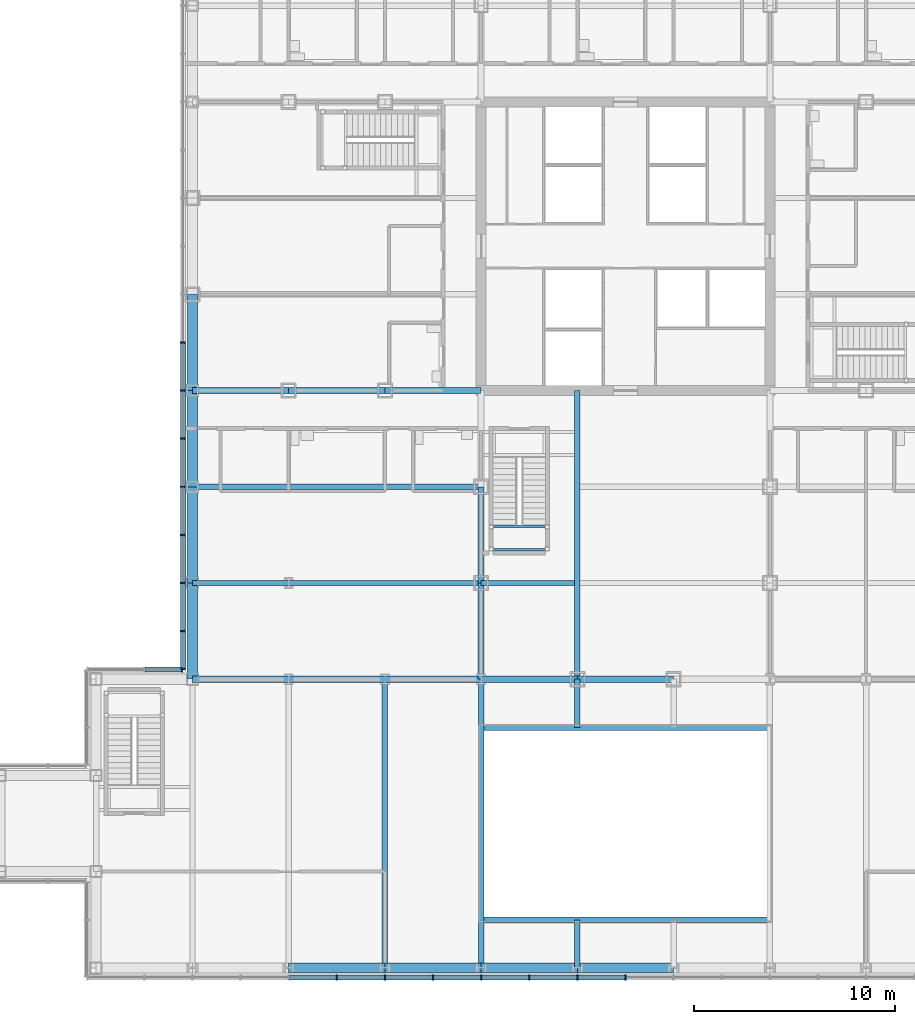
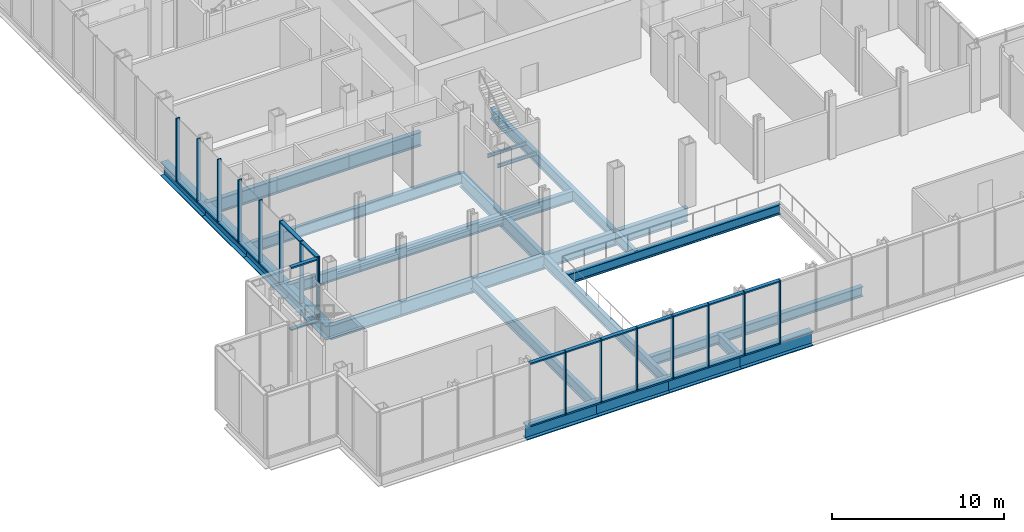
# One storey, part 12 of 26: 41 members, 31 beams, 3 elements without a shape of their own.
"""IFC4 building model written with IfcOpenShell, lengths in metres."""

from ifc_helpers import new_model, si_unit, direction, frame, origin, origin_2d, place, context, subcontext, project, spatial, rectangle, i_section, extrude, material, material_profile, profile_set, type_object, element, aggregate, save


model = new_model("IFC4")

# Units and contexts
model_context = context("Model", 3, precision=1e-05, world=origin(), true_north=direction((0.0, 1.0)))
body_context = subcontext(model_context, "Body", "Model", "MODEL_VIEW")
ifc_project = project(units=[si_unit("LENGTHUNIT", "METRE"), si_unit("AREAUNIT", "SQUARE_METRE"), si_unit("VOLUMEUNIT", "CUBIC_METRE"), si_unit("PLANEANGLEUNIT", "RADIAN"), si_unit("MASSUNIT", "GRAM", prefix="KILO")], contexts=[model_context])

# Site, building, storey
site_placement = place(None, origin())
site = spatial("IfcSite", under=ifc_project, at=site_placement, CompositionType="ELEMENT")
building_placement = place(site_placement, origin())
building = spatial("IfcBuilding", under=site, at=building_placement, Name="Kvirike Care Tower", CompositionType="ELEMENT")
storey_placement = place(building_placement, frame((0.0, 0.0, 18.0)))
storey = spatial("IfcBuildingStorey", under=building, at=storey_placement, Name="L04", CompositionType="ELEMENT", Elevation=18.0)

# Beams
ifc_material_1 = material(Name="Steel S355", Category="steel")
ifc_material_profile_1 = material_profile(ifc_material_1, i_section(OverallWidth=0.300048828125, OverallDepth=0.699951171875, WebThickness=0.01708984375, FlangeThickness=0.031982421875, FilletRadius=0.027099609375, at=origin_2d()), Name="HE 700 B")
ifc_profile_set_1 = profile_set([ifc_material_profile_1], Name="Steel S355")
beam_type_1 = type_object("IfcBeamType", Name="ATRIUM EDGE BEAM HE 700 B", PredefinedType="BEAM", material=ifc_profile_set_1)
for number, where, z_axis, x_axis, name in (
    (1, (14.39990234375, 2.39990234375, -0.52001953125), (1.0, 0.0, 0.0), (0.0, 1.0, 0.0), "Atrium Edge Beam 14.40/2.40-28.80/2.40 L04"),
    (2, (14.39990234375, 12.0, -0.52001953125), (1.0, 0.0, 0.0), (0.0, 1.0, 0.0), "Atrium Edge Beam 14.40/12.00-28.80/12.00 L04"),
):
    element("IfcBeam", number, at=place(storey_placement, frame(where, z_axis=z_axis, x_axis=x_axis)), inside=storey, type_object=beam_type_1, Name=name, PredefinedType="BEAM", context=body_context, shape_type="SweptSolid", body=[
        extrude(i_section(OverallWidth=0.300048828125, OverallDepth=0.699951171875, WebThickness=0.01708984375, FlangeThickness=0.031982421875, FilletRadius=0.027099609375, at=origin_2d()), origin(), (0.0, 0.0, 1.0), 14.400146484375),
    ])

# Curtain wall, members
ifc_material_2 = material(Name="Anodised aluminium stick system", Category="aluminium")
curtain_wall_type = type_object("IfcCurtainWallType", Name="CW-P PODIUM STICK CURTAIN WALL", PredefinedType="NOTDEFINED", material=ifc_material_2)
curtain_wall_1_placement = place(storey_placement, origin())
curtain_wall_1 = element("IfcCurtainWall", 3, at=curtain_wall_1_placement, inside=storey, type_object=curtain_wall_type, Name="Curtain wall L04 face 1", PredefinedType="NOTDEFINED")
ifc_material_3 = material(Name="Bronze anodised aluminium mullion", Category="aluminium")
ifc_material_profile_2 = material_profile(ifc_material_3, rectangle(XDim=0.06494140625, YDim=0.25, at=origin_2d()), Name="CW-P MULLION 65x250")
ifc_profile_set_2 = profile_set([ifc_material_profile_2], Name="Bronze anodised aluminium mullion")
member_type_1 = type_object("IfcMemberType", Name="CW-P MULLION 65x250", PredefinedType="MULLION", material=ifc_profile_set_2)
member_1_placement = place(storey_placement, frame((7.199951171875, -0.47509765625, 0.0), z_axis=(0.0, 0.0, 1.0), x_axis=(1.0, 0.0, 0.0)))
member_1 = element("IfcMember", 4, at=member_1_placement, type_object=member_type_1, Name="CW-P mullion L04 face 1.6", PredefinedType="MULLION", context=body_context, shape_type="SweptSolid", body=[
    extrude(rectangle(XDim=0.06494140625, YDim=0.25, at=origin_2d()), origin(), (0.0, 0.0, 1.0), 4.5),
])
member_2_placement = place(storey_placement, frame((9.60009765625, -0.47509765625, 0.0), z_axis=(0.0, 0.0, 1.0), x_axis=(1.0, 0.0, 0.0)))
member_2 = element("IfcMember", 5, at=member_2_placement, type_object=member_type_1, Name="CW-P mullion L04 face 1.7", PredefinedType="MULLION", context=body_context, shape_type="SweptSolid", body=[
    extrude(rectangle(XDim=0.06494140625, YDim=0.25, at=origin_2d()), origin(), (0.0, 0.0, 1.0), 4.5),
])
member_3_placement = place(storey_placement, frame((12.0, -0.47509765625, 0.0), z_axis=(0.0, 0.0, 1.0), x_axis=(1.0, 0.0, 0.0)))
member_3 = element("IfcMember", 6, at=member_3_placement, type_object=member_type_1, Name="CW-P mullion L04 face 1.8", PredefinedType="MULLION", context=body_context, shape_type="SweptSolid", body=[
    extrude(rectangle(XDim=0.06494140625, YDim=0.25, at=origin_2d()), origin(), (0.0, 0.0, 1.0), 4.5),
])
member_4_placement = place(storey_placement, frame((14.39990234375, -0.47509765625, 0.0), z_axis=(0.0, 0.0, 1.0), x_axis=(1.0, 0.0, 0.0)))
member_4 = element("IfcMember", 7, at=member_4_placement, type_object=member_type_1, Name="CW-P mullion L04 face 1.9", PredefinedType="MULLION", context=body_context, shape_type="SweptSolid", body=[
    extrude(rectangle(XDim=0.06494140625, YDim=0.25, at=origin_2d()), origin(), (0.0, 0.0, 1.0), 4.5),
])
member_5_placement = place(storey_placement, frame((16.800048828125, -0.47509765625, 0.0), z_axis=(0.0, 0.0, 1.0), x_axis=(1.0, 0.0, 0.0)))
member_5 = element("IfcMember", 8, at=member_5_placement, type_object=member_type_1, Name="CW-P mullion L04 face 1.10", PredefinedType="MULLION", context=body_context, shape_type="SweptSolid", body=[
    extrude(rectangle(XDim=0.06494140625, YDim=0.25, at=origin_2d()), origin(), (0.0, 0.0, 1.0), 4.5),
])
member_6_placement = place(storey_placement, frame((19.199951171875, -0.47509765625, 0.0), z_axis=(0.0, 0.0, 1.0), x_axis=(1.0, 0.0, 0.0)))
member_6 = element("IfcMember", 9, at=member_6_placement, type_object=member_type_1, Name="CW-P mullion L04 face 1.11", PredefinedType="MULLION", context=body_context, shape_type="SweptSolid", body=[
    extrude(rectangle(XDim=0.06494140625, YDim=0.25, at=origin_2d()), origin(), (0.0, 0.0, 1.0), 4.5),
])
member_7_placement = place(storey_placement, frame((21.60009765625, -0.47509765625, 0.0), z_axis=(0.0, 0.0, 1.0), x_axis=(1.0, 0.0, 0.0)))
member_7 = element("IfcMember", 10, at=member_7_placement, type_object=member_type_1, Name="CW-P mullion L04 face 1.12", PredefinedType="MULLION", context=body_context, shape_type="SweptSolid", body=[
    extrude(rectangle(XDim=0.06494140625, YDim=0.25, at=origin_2d()), origin(), (0.0, 0.0, 1.0), 4.5),
])

curtain_wall_2_placement = place(storey_placement, origin())
curtain_wall_2 = element("IfcCurtainWall", 11, at=curtain_wall_2_placement, inside=storey, type_object=curtain_wall_type, Name="Curtain wall L04 face 14", PredefinedType="NOTDEFINED")
member_8_placement = place(storey_placement, frame((-0.47509765625, 31.199951171875, 0.0), z_axis=(0.0, 0.0, 1.0), x_axis=(0.0, -1.0, 0.0)))
member_8 = element("IfcMember", 12, at=member_8_placement, type_object=member_type_1, Name="CW-P mullion L04 face 14.10", PredefinedType="MULLION", context=body_context, shape_type="SweptSolid", body=[
    extrude(rectangle(XDim=0.06494140625, YDim=0.25, at=origin_2d()), origin(), (0.0, 0.0, 1.0), 4.5),
])
member_9_placement = place(storey_placement, frame((-0.47509765625, 28.800048828125, 0.0), z_axis=(0.0, 0.0, 1.0), x_axis=(0.0, -1.0, 0.0)))
member_9 = element("IfcMember", 13, at=member_9_placement, type_object=member_type_1, Name="CW-P mullion L04 face 14.11", PredefinedType="MULLION", context=body_context, shape_type="SweptSolid", body=[
    extrude(rectangle(XDim=0.06494140625, YDim=0.25, at=origin_2d()), origin(), (0.0, 0.0, 1.0), 4.5),
])
member_10_placement = place(storey_placement, frame((-0.47509765625, 26.39990234375, 0.0), z_axis=(0.0, 0.0, 1.0), x_axis=(0.0, -1.0, 0.0)))
member_10 = element("IfcMember", 14, at=member_10_placement, type_object=member_type_1, Name="CW-P mullion L04 face 14.12", PredefinedType="MULLION", context=body_context, shape_type="SweptSolid", body=[
    extrude(rectangle(XDim=0.06494140625, YDim=0.25, at=origin_2d()), origin(), (0.0, 0.0, 1.0), 4.5),
])
member_11_placement = place(storey_placement, frame((-0.47509765625, 24.0, 0.0), z_axis=(0.0, 0.0, 1.0), x_axis=(0.0, -1.0, 0.0)))
member_11 = element("IfcMember", 15, at=member_11_placement, type_object=member_type_1, Name="CW-P mullion L04 face 14.13", PredefinedType="MULLION", context=body_context, shape_type="SweptSolid", body=[
    extrude(rectangle(XDim=0.06494140625, YDim=0.25, at=origin_2d()), origin(), (0.0, 0.0, 1.0), 4.5),
])
member_12_placement = place(storey_placement, frame((-0.47509765625, 21.60009765625, 0.0), z_axis=(0.0, 0.0, 1.0), x_axis=(0.0, -1.0, 0.0)))
member_12 = element("IfcMember", 16, at=member_12_placement, type_object=member_type_1, Name="CW-P mullion L04 face 14.14", PredefinedType="MULLION", context=body_context, shape_type="SweptSolid", body=[
    extrude(rectangle(XDim=0.06494140625, YDim=0.25, at=origin_2d()), origin(), (0.0, 0.0, 1.0), 4.5),
])
member_13_placement = place(storey_placement, frame((-0.47509765625, 19.199951171875, 0.0), z_axis=(0.0, 0.0, 1.0), x_axis=(0.0, -1.0, 0.0)))
member_13 = element("IfcMember", 17, at=member_13_placement, type_object=member_type_1, Name="CW-P mullion L04 face 14.15", PredefinedType="MULLION", context=body_context, shape_type="SweptSolid", body=[
    extrude(rectangle(XDim=0.06494140625, YDim=0.25, at=origin_2d()), origin(), (0.0, 0.0, 1.0), 4.5),
])
member_14_placement = place(storey_placement, frame((-0.47509765625, 16.800048828125, 0.0), z_axis=(0.0, 0.0, 1.0), x_axis=(0.0, -1.0, 0.0)))
member_14 = element("IfcMember", 18, at=member_14_placement, type_object=member_type_1, Name="CW-P mullion L04 face 14.16", PredefinedType="MULLION", context=body_context, shape_type="SweptSolid", body=[
    extrude(rectangle(XDim=0.06494140625, YDim=0.25, at=origin_2d()), origin(), (0.0, 0.0, 1.0), 4.5),
])
member_15_placement = place(storey_placement, frame((-0.47509765625, 14.907470703125, 0.0), z_axis=(0.0, 0.0, 1.0), x_axis=(0.0, -1.0, 0.0)))
member_15 = element("IfcMember", 19, at=member_15_placement, type_object=member_type_1, Name="CW-P mullion L04 face 14.17", PredefinedType="MULLION", context=body_context, shape_type="SweptSolid", body=[
    extrude(rectangle(XDim=0.06494140625, YDim=0.25, at=origin_2d()), origin(), (0.0, 0.0, 1.0), 4.5),
])

# Curtain wall, member
curtain_wall_3_placement = place(storey_placement, origin())
curtain_wall_3 = element("IfcCurtainWall", 20, at=curtain_wall_3_placement, inside=storey, type_object=curtain_wall_type, Name="Curtain wall L04 face 15", PredefinedType="NOTDEFINED")
member_16_placement = place(storey_placement, frame((-0.507568359375, 14.875, 0.0), z_axis=(0.0, 0.0, 1.0), x_axis=(-1.0, 0.0, 0.0)))
member_16 = element("IfcMember", 21, at=member_16_placement, type_object=member_type_1, Name="CW-P mullion L04 face 15.1", PredefinedType="MULLION", context=body_context, shape_type="SweptSolid", body=[
    extrude(rectangle(XDim=0.06494140625, YDim=0.25, at=origin_2d()), origin(), (0.0, 0.0, 1.0), 4.5),
])

# Member
ifc_material_4 = material(Name="Bronze anodised aluminium transom", Category="aluminium")
ifc_material_profile_3 = material_profile(ifc_material_4, rectangle(XDim=0.25, YDim=0.10009765625, at=origin_2d()), Name="CW-P TRANSOM 250x100")
ifc_profile_set_3 = profile_set([ifc_material_profile_3], Name="Bronze anodised aluminium transom")
member_type_2 = type_object("IfcMemberType", Name="CW-P TRANSOM 250x100", PredefinedType="USERDEFINED", material=ifc_profile_set_3)
member_17_placement = place(storey_placement, frame((4.83251953125, -0.47509765625, 0.050048828125), z_axis=(1.0, 0.0, 0.0), x_axis=(0.0, 1.0, 0.0)))
member_17 = element("IfcMember", 22, at=member_17_placement, type_object=member_type_2, Name="CW-P sill transom L04 face 1.5", ObjectType="TRANSOM", PredefinedType="USERDEFINED", context=body_context, shape_type="SweptSolid", body=[
    extrude(rectangle(XDim=0.25, YDim=0.10009765625, at=origin_2d()), origin(), (0.0, 0.0, 1.0), 2.3349609375),
])

member_18_placement = place(storey_placement, frame((4.83251953125, -0.47509765625, 4.449951171875), z_axis=(1.0, 0.0, 0.0), x_axis=(0.0, 1.0, 0.0)))
member_18 = element("IfcMember", 23, at=member_18_placement, type_object=member_type_2, Name="CW-P head transom L04 face 1.5", ObjectType="TRANSOM", PredefinedType="USERDEFINED", context=body_context, shape_type="SweptSolid", body=[
    extrude(rectangle(XDim=0.25, YDim=0.10009765625, at=origin_2d()), origin(), (0.0, 0.0, 1.0), 2.3349609375),
])

member_19_placement = place(storey_placement, frame((7.232421875, -0.47509765625, 0.050048828125), z_axis=(1.0, 0.0, 0.0), x_axis=(0.0, 1.0, 0.0)))
member_19 = element("IfcMember", 24, at=member_19_placement, type_object=member_type_2, Name="CW-P sill transom L04 face 1.6", ObjectType="TRANSOM", PredefinedType="USERDEFINED", context=body_context, shape_type="SweptSolid", body=[
    extrude(rectangle(XDim=0.25, YDim=0.10009765625, at=origin_2d()), origin(), (0.0, 0.0, 1.0), 2.3349609375),
])

member_20_placement = place(storey_placement, frame((7.232421875, -0.47509765625, 4.449951171875), z_axis=(1.0, 0.0, 0.0), x_axis=(0.0, 1.0, 0.0)))
member_20 = element("IfcMember", 25, at=member_20_placement, type_object=member_type_2, Name="CW-P head transom L04 face 1.6", ObjectType="TRANSOM", PredefinedType="USERDEFINED", context=body_context, shape_type="SweptSolid", body=[
    extrude(rectangle(XDim=0.25, YDim=0.10009765625, at=origin_2d()), origin(), (0.0, 0.0, 1.0), 2.3349609375),
])

member_21_placement = place(storey_placement, frame((9.632568359375, -0.47509765625, 0.050048828125), z_axis=(1.0, 0.0, 0.0), x_axis=(0.0, 1.0, 0.0)))
member_21 = element("IfcMember", 26, at=member_21_placement, type_object=member_type_2, Name="CW-P sill transom L04 face 1.7", ObjectType="TRANSOM", PredefinedType="USERDEFINED", context=body_context, shape_type="SweptSolid", body=[
    extrude(rectangle(XDim=0.25, YDim=0.10009765625, at=origin_2d()), origin(), (0.0, 0.0, 1.0), 2.3349609375),
])

member_22_placement = place(storey_placement, frame((9.632568359375, -0.47509765625, 4.449951171875), z_axis=(1.0, 0.0, 0.0), x_axis=(0.0, 1.0, 0.0)))
member_22 = element("IfcMember", 27, at=member_22_placement, type_object=member_type_2, Name="CW-P head transom L04 face 1.7", ObjectType="TRANSOM", PredefinedType="USERDEFINED", context=body_context, shape_type="SweptSolid", body=[
    extrude(rectangle(XDim=0.25, YDim=0.10009765625, at=origin_2d()), origin(), (0.0, 0.0, 1.0), 2.3349609375),
])

member_23_placement = place(storey_placement, frame((12.032470703125, -0.47509765625, 0.050048828125), z_axis=(1.0, 0.0, 0.0), x_axis=(0.0, 1.0, 0.0)))
member_23 = element("IfcMember", 28, at=member_23_placement, type_object=member_type_2, Name="CW-P sill transom L04 face 1.8", ObjectType="TRANSOM", PredefinedType="USERDEFINED", context=body_context, shape_type="SweptSolid", body=[
    extrude(rectangle(XDim=0.25, YDim=0.10009765625, at=origin_2d()), origin(), (0.0, 0.0, 1.0), 2.3349609375),
])

member_24_placement = place(storey_placement, frame((12.032470703125, -0.47509765625, 4.449951171875), z_axis=(1.0, 0.0, 0.0), x_axis=(0.0, 1.0, 0.0)))
member_24 = element("IfcMember", 29, at=member_24_placement, type_object=member_type_2, Name="CW-P head transom L04 face 1.8", ObjectType="TRANSOM", PredefinedType="USERDEFINED", context=body_context, shape_type="SweptSolid", body=[
    extrude(rectangle(XDim=0.25, YDim=0.10009765625, at=origin_2d()), origin(), (0.0, 0.0, 1.0), 2.3349609375),
])

member_25_placement = place(storey_placement, frame((14.4326171875, -0.47509765625, 0.050048828125), z_axis=(1.0, 0.0, 0.0), x_axis=(0.0, 1.0, 0.0)))
member_25 = element("IfcMember", 30, at=member_25_placement, type_object=member_type_2, Name="CW-P sill transom L04 face 1.9", ObjectType="TRANSOM", PredefinedType="USERDEFINED", context=body_context, shape_type="SweptSolid", body=[
    extrude(rectangle(XDim=0.25, YDim=0.10009765625, at=origin_2d()), origin(), (0.0, 0.0, 1.0), 2.3349609375),
])

member_26_placement = place(storey_placement, frame((14.4326171875, -0.47509765625, 4.449951171875), z_axis=(1.0, 0.0, 0.0), x_axis=(0.0, 1.0, 0.0)))
member_26 = element("IfcMember", 31, at=member_26_placement, type_object=member_type_2, Name="CW-P head transom L04 face 1.9", ObjectType="TRANSOM", PredefinedType="USERDEFINED", context=body_context, shape_type="SweptSolid", body=[
    extrude(rectangle(XDim=0.25, YDim=0.10009765625, at=origin_2d()), origin(), (0.0, 0.0, 1.0), 2.3349609375),
])

member_27_placement = place(storey_placement, frame((16.83251953125, -0.47509765625, 0.050048828125), z_axis=(1.0, 0.0, 0.0), x_axis=(0.0, 1.0, 0.0)))
member_27 = element("IfcMember", 32, at=member_27_placement, type_object=member_type_2, Name="CW-P sill transom L04 face 1.10", ObjectType="TRANSOM", PredefinedType="USERDEFINED", context=body_context, shape_type="SweptSolid", body=[
    extrude(rectangle(XDim=0.25, YDim=0.10009765625, at=origin_2d()), origin(), (0.0, 0.0, 1.0), 2.3349609375),
])

member_28_placement = place(storey_placement, frame((16.83251953125, -0.47509765625, 4.449951171875), z_axis=(1.0, 0.0, 0.0), x_axis=(0.0, 1.0, 0.0)))
member_28 = element("IfcMember", 33, at=member_28_placement, type_object=member_type_2, Name="CW-P head transom L04 face 1.10", ObjectType="TRANSOM", PredefinedType="USERDEFINED", context=body_context, shape_type="SweptSolid", body=[
    extrude(rectangle(XDim=0.25, YDim=0.10009765625, at=origin_2d()), origin(), (0.0, 0.0, 1.0), 2.3349609375),
])

member_29_placement = place(storey_placement, frame((19.232421875, -0.47509765625, 0.050048828125), z_axis=(1.0, 0.0, 0.0), x_axis=(0.0, 1.0, 0.0)))
member_29 = element("IfcMember", 34, at=member_29_placement, type_object=member_type_2, Name="CW-P sill transom L04 face 1.11", ObjectType="TRANSOM", PredefinedType="USERDEFINED", context=body_context, shape_type="SweptSolid", body=[
    extrude(rectangle(XDim=0.25, YDim=0.10009765625, at=origin_2d()), origin(), (0.0, 0.0, 1.0), 2.3349609375),
])

member_30_placement = place(storey_placement, frame((19.232421875, -0.47509765625, 4.449951171875), z_axis=(1.0, 0.0, 0.0), x_axis=(0.0, 1.0, 0.0)))
member_30 = element("IfcMember", 35, at=member_30_placement, type_object=member_type_2, Name="CW-P head transom L04 face 1.11", ObjectType="TRANSOM", PredefinedType="USERDEFINED", context=body_context, shape_type="SweptSolid", body=[
    extrude(rectangle(XDim=0.25, YDim=0.10009765625, at=origin_2d()), origin(), (0.0, 0.0, 1.0), 2.3349609375),
])

aggregate(curtain_wall_1, [member_1, member_2, member_3, member_4, member_5, member_6, member_7, member_17, member_18, member_19, member_20, member_21, member_22, member_23, member_24, member_25, member_26, member_27, member_28, member_29, member_30])

member_31_placement = place(storey_placement, frame((-0.47509765625, 31.16748046875, 0.050048828125), z_axis=(0.0, -1.0, 0.0), x_axis=(1.0, 0.0, 0.0)))
member_31 = element("IfcMember", 36, at=member_31_placement, type_object=member_type_2, Name="CW-P sill transom L04 face 14.10", ObjectType="TRANSOM", PredefinedType="USERDEFINED", context=body_context, shape_type="SweptSolid", body=[
    extrude(rectangle(XDim=0.25, YDim=0.10009765625, at=origin_2d()), origin(), (0.0, 0.0, 1.0), 2.3349609375),
])

member_32_placement = place(storey_placement, frame((-0.47509765625, 28.767578125, 0.050048828125), z_axis=(0.0, -1.0, 0.0), x_axis=(1.0, 0.0, 0.0)))
member_32 = element("IfcMember", 37, at=member_32_placement, type_object=member_type_2, Name="CW-P sill transom L04 face 14.11", ObjectType="TRANSOM", PredefinedType="USERDEFINED", context=body_context, shape_type="SweptSolid", body=[
    extrude(rectangle(XDim=0.25, YDim=0.10009765625, at=origin_2d()), origin(), (0.0, 0.0, 1.0), 2.3349609375),
])

member_33_placement = place(storey_placement, frame((-0.47509765625, 26.367431640625, 0.050048828125), z_axis=(0.0, -1.0, 0.0), x_axis=(1.0, 0.0, 0.0)))
member_33 = element("IfcMember", 38, at=member_33_placement, type_object=member_type_2, Name="CW-P sill transom L04 face 14.12", ObjectType="TRANSOM", PredefinedType="USERDEFINED", context=body_context, shape_type="SweptSolid", body=[
    extrude(rectangle(XDim=0.25, YDim=0.10009765625, at=origin_2d()), origin(), (0.0, 0.0, 1.0), 2.3349609375),
])

member_34_placement = place(storey_placement, frame((-0.47509765625, 23.967529296875, 0.050048828125), z_axis=(0.0, -1.0, 0.0), x_axis=(1.0, 0.0, 0.0)))
member_34 = element("IfcMember", 39, at=member_34_placement, type_object=member_type_2, Name="CW-P sill transom L04 face 14.13", ObjectType="TRANSOM", PredefinedType="USERDEFINED", context=body_context, shape_type="SweptSolid", body=[
    extrude(rectangle(XDim=0.25, YDim=0.10009765625, at=origin_2d()), origin(), (0.0, 0.0, 1.0), 2.3349609375),
])

member_35_placement = place(storey_placement, frame((-0.47509765625, 21.5673828125, 0.050048828125), z_axis=(0.0, -1.0, 0.0), x_axis=(1.0, 0.0, 0.0)))
member_35 = element("IfcMember", 40, at=member_35_placement, type_object=member_type_2, Name="CW-P sill transom L04 face 14.14", ObjectType="TRANSOM", PredefinedType="USERDEFINED", context=body_context, shape_type="SweptSolid", body=[
    extrude(rectangle(XDim=0.25, YDim=0.10009765625, at=origin_2d()), origin(), (0.0, 0.0, 1.0), 2.3349609375),
])

member_36_placement = place(storey_placement, frame((-0.47509765625, 19.16748046875, 0.050048828125), z_axis=(0.0, -1.0, 0.0), x_axis=(1.0, 0.0, 0.0)))
member_36 = element("IfcMember", 41, at=member_36_placement, type_object=member_type_2, Name="CW-P sill transom L04 face 14.15", ObjectType="TRANSOM", PredefinedType="USERDEFINED", context=body_context, shape_type="SweptSolid", body=[
    extrude(rectangle(XDim=0.25, YDim=0.10009765625, at=origin_2d()), origin(), (0.0, 0.0, 1.0), 2.3349609375),
])

member_37_placement = place(storey_placement, frame((-0.47509765625, 19.16748046875, 4.449951171875), z_axis=(0.0, -1.0, 0.0), x_axis=(1.0, 0.0, 0.0)))
member_37 = element("IfcMember", 42, at=member_37_placement, type_object=member_type_2, Name="CW-P head transom L04 face 14.15", ObjectType="TRANSOM", PredefinedType="USERDEFINED", context=body_context, shape_type="SweptSolid", body=[
    extrude(rectangle(XDim=0.25, YDim=0.10009765625, at=origin_2d()), origin(), (0.0, 0.0, 1.0), 2.3349609375),
])

member_38_placement = place(storey_placement, frame((-0.47509765625, 16.767578125, 0.050048828125), z_axis=(0.0, -1.0, 0.0), x_axis=(1.0, 0.0, 0.0)))
member_38 = element("IfcMember", 43, at=member_38_placement, type_object=member_type_2, Name="CW-P sill transom L04 face 14.16", ObjectType="TRANSOM", PredefinedType="USERDEFINED", context=body_context, shape_type="SweptSolid", body=[
    extrude(rectangle(XDim=0.25, YDim=0.10009765625, at=origin_2d()), origin(), (0.0, 0.0, 1.0), 1.82763671875),
])

member_39_placement = place(storey_placement, frame((-0.47509765625, 16.767578125, 4.449951171875), z_axis=(0.0, -1.0, 0.0), x_axis=(1.0, 0.0, 0.0)))
member_39 = element("IfcMember", 44, at=member_39_placement, type_object=member_type_2, Name="CW-P head transom L04 face 14.16", ObjectType="TRANSOM", PredefinedType="USERDEFINED", context=body_context, shape_type="SweptSolid", body=[
    extrude(rectangle(XDim=0.25, YDim=0.10009765625, at=origin_2d()), origin(), (0.0, 0.0, 1.0), 1.82763671875),
])

aggregate(curtain_wall_2, [member_8, member_9, member_10, member_11, member_12, member_13, member_14, member_15, member_31, member_32, member_33, member_34, member_35, member_36, member_37, member_38, member_39])

member_40_placement = place(storey_placement, frame((-0.5400390625, 14.875, 0.050048828125), z_axis=(-1.0, 0.0, 0.0), x_axis=(0.0, -1.0, 0.0)))
member_40 = element("IfcMember", 45, at=member_40_placement, type_object=member_type_2, Name="CW-P sill transom L04 face 15.1", ObjectType="TRANSOM", PredefinedType="USERDEFINED", context=body_context, shape_type="SweptSolid", body=[
    extrude(rectangle(XDim=0.25, YDim=0.10009765625, at=origin_2d()), origin(), (0.0, 0.0, 1.0), 1.827392578125),
])

member_41_placement = place(storey_placement, frame((-0.5400390625, 14.875, 4.449951171875), z_axis=(-1.0, 0.0, 0.0), x_axis=(0.0, -1.0, 0.0)))
member_41 = element("IfcMember", 46, at=member_41_placement, type_object=member_type_2, Name="CW-P head transom L04 face 15.1", ObjectType="TRANSOM", PredefinedType="USERDEFINED", context=body_context, shape_type="SweptSolid", body=[
    extrude(rectangle(XDim=0.25, YDim=0.10009765625, at=origin_2d()), origin(), (0.0, 0.0, 1.0), 1.827392578125),
])

aggregate(curtain_wall_3, [member_16, member_40, member_41])

# Beams
ifc_material_5 = material(Name="Steel S355", Category="steel")
ifc_material_profile_4 = material_profile(ifc_material_5, i_section(OverallWidth=0.26806640625, OverallDepth=0.77001953125, WebThickness=0.015625, FlangeThickness=0.025390625, FilletRadius=0.01708984375, at=origin_2d()), Name="IPE 750x196")
ifc_profile_set_4 = profile_set([ifc_material_profile_4], Name="Steel S355")
beam_type_2 = type_object("IfcBeamType", Name="FLOOR BEAM IPE 750x196", PredefinedType="BEAM", material=ifc_profile_set_4)
beam_1_placement = place(storey_placement, frame((0.0, 19.199951171875, -0.554931640625), z_axis=(1.0, 0.0, 0.0), x_axis=(0.0, 1.0, 0.0)))
element("IfcBeam", 47, at=beam_1_placement, inside=storey, type_object=beam_type_2, Name="Floor Beam E3-E4 L04", PredefinedType="BEAM", context=body_context, shape_type="SweptSolid", body=[
    extrude(i_section(OverallWidth=0.26806640625, OverallDepth=0.77001953125, WebThickness=0.015625, FlangeThickness=0.025390625, FilletRadius=0.01708984375, at=origin_2d()), origin(), (0.0, 0.0, 1.0), 4.800048828125),
])
beam_2_placement = place(storey_placement, frame((4.800048828125, 19.199951171875, -0.554931640625), z_axis=(1.0, 0.0, 0.0), x_axis=(0.0, 1.0, 0.0)))
element("IfcBeam", 48, at=beam_2_placement, inside=storey, type_object=beam_type_2, Name="Floor Beam E4-E6 L04", PredefinedType="BEAM", context=body_context, shape_type="SweptSolid", body=[
    extrude(i_section(OverallWidth=0.26806640625, OverallDepth=0.77001953125, WebThickness=0.015625, FlangeThickness=0.025390625, FilletRadius=0.01708984375, at=origin_2d()), origin(), (0.0, 0.0, 1.0), 9.599853515625),
])
beam_3_placement = place(storey_placement, frame((14.39990234375, 19.199951171875, -0.554931640625), z_axis=(1.0, 0.0, 0.0), x_axis=(0.0, 1.0, 0.0)))
element("IfcBeam", 49, at=beam_3_placement, inside=storey, type_object=beam_type_2, Name="Floor Beam E6-E7 L04", PredefinedType="BEAM", context=body_context, shape_type="SweptSolid", body=[
    extrude(i_section(OverallWidth=0.26806640625, OverallDepth=0.77001953125, WebThickness=0.015625, FlangeThickness=0.025390625, FilletRadius=0.01708984375, at=origin_2d()), origin(), (0.0, 0.0, 1.0), 4.666015625),
])
for number, where, z_axis, x_axis, name in (
    (50, (0.0, 24.0, -0.554931640625), (1.0, 0.0, 0.0), (0.0, 1.0, 0.0), "Floor Beam F3-F6 L04"),
    (51, (9.60009765625, 0.0, -0.554931640625), (0.0, 1.0, 0.0), (-1.0, 0.0, 0.0), "Floor Beam A5-D5 L04"),
    (52, (14.39990234375, 0.0, -0.554931640625), (0.0, 1.0, 0.0), (-1.0, 0.0, 0.0), "Floor Beam A6-D6 L04"),
):
    element("IfcBeam", number, at=place(storey_placement, frame(where, z_axis=z_axis, x_axis=x_axis)), inside=storey, type_object=beam_type_2, Name=name, PredefinedType="BEAM", context=body_context, shape_type="SweptSolid", body=[
        extrude(i_section(OverallWidth=0.26806640625, OverallDepth=0.77001953125, WebThickness=0.015625, FlangeThickness=0.025390625, FilletRadius=0.01708984375, at=origin_2d()), origin(), (0.0, 0.0, 1.0), 14.39990234375),
    ])
for number, where, z_axis, x_axis, name in (
    (53, (19.199951171875, 0.0, -0.554931640625), (0.0, 1.0, 0.0), (-1.0, 0.0, 0.0), "Floor Beam A7-19.20/2.40 L04"),
    (54, (19.199951171875, 12.0, -0.554931640625), (0.0, 1.0, 0.0), (-1.0, 0.0, 0.0), "Floor Beam 19.20/12.00-D7 L04"),
):
    element("IfcBeam", number, at=place(storey_placement, frame(where, z_axis=z_axis, x_axis=x_axis)), inside=storey, type_object=beam_type_2, Name=name, PredefinedType="BEAM", context=body_context, shape_type="SweptSolid", body=[
        extrude(i_section(OverallWidth=0.26806640625, OverallDepth=0.77001953125, WebThickness=0.015625, FlangeThickness=0.025390625, FilletRadius=0.01708984375, at=origin_2d()), origin(), (0.0, 0.0, 1.0), 2.39990234375),
    ])
beam_4_placement = place(storey_placement, frame((19.199951171875, 14.39990234375, -0.554931640625), z_axis=(0.0, 1.0, 0.0), x_axis=(-1.0, 0.0, 0.0)))
element("IfcBeam", 55, at=beam_4_placement, inside=storey, type_object=beam_type_2, Name="Floor Beam D7-G7 L04", PredefinedType="BEAM", context=body_context, shape_type="SweptSolid", body=[
    extrude(i_section(OverallWidth=0.26806640625, OverallDepth=0.77001953125, WebThickness=0.015625, FlangeThickness=0.025390625, FilletRadius=0.01708984375, at=origin_2d()), origin(), (0.0, 0.0, 1.0), 14.400146484375),
])
ifc_material_6 = material(Name="Steel S355", Category="steel")
ifc_material_profile_5 = material_profile(ifc_material_6, i_section(OverallWidth=0.300048828125, OverallDepth=1.0, WebThickness=0.01904296875, FlangeThickness=0.035888671875, FilletRadius=0.030029296875, at=origin_2d()), Name="HE 1000 B")
ifc_profile_set_5 = profile_set([ifc_material_profile_5], Name="Steel S355")
beam_type_3 = type_object("IfcBeamType", Name="FRAME BEAM HE 1000 B", PredefinedType="BEAM", material=ifc_profile_set_5)
for number, where, z_axis, x_axis, name in (
    (56, (0.0, 14.39990234375, -0.669921875), (1.0, 0.0, 0.0), (0.0, 1.0, 0.0), "Frame Beam D3-D4 L04"),
    (57, (4.800048828125, 14.39990234375, -0.669921875), (1.0, 0.0, 0.0), (0.0, 1.0, 0.0), "Frame Beam D4-D5 L04"),
):
    element("IfcBeam", number, at=place(storey_placement, frame(where, z_axis=z_axis, x_axis=x_axis)), inside=storey, type_object=beam_type_3, Name=name, PredefinedType="BEAM", context=body_context, shape_type="SweptSolid", body=[
        extrude(i_section(OverallWidth=0.300048828125, OverallDepth=1.0, WebThickness=0.01904296875, FlangeThickness=0.035888671875, FilletRadius=0.030029296875, at=origin_2d()), origin(), (0.0, 0.0, 1.0), 4.800048828125),
    ])
beam_5_placement = place(storey_placement, frame((9.60009765625, 14.39990234375, -0.669921875), z_axis=(1.0, 0.0, 0.0), x_axis=(0.0, 1.0, 0.0)))
element("IfcBeam", 58, at=beam_5_placement, inside=storey, type_object=beam_type_3, Name="Frame Beam D5-D6 L04", PredefinedType="BEAM", context=body_context, shape_type="SweptSolid", body=[
    extrude(i_section(OverallWidth=0.300048828125, OverallDepth=1.0, WebThickness=0.01904296875, FlangeThickness=0.035888671875, FilletRadius=0.030029296875, at=origin_2d()), origin(), (0.0, 0.0, 1.0), 4.7998046875),
])
for number, where, z_axis, x_axis, name in (
    (59, (14.39990234375, 14.39990234375, -0.669921875), (1.0, 0.0, 0.0), (0.0, 1.0, 0.0), "Frame Beam D6-D7 L04"),
    (60, (19.199951171875, 14.39990234375, -0.669921875), (1.0, 0.0, 0.0), (0.0, 1.0, 0.0), "Frame Beam D7-D8 L04"),
    (61, (0.0, 28.800048828125, -0.669921875), (1.0, 0.0, 0.0), (0.0, 1.0, 0.0), "Frame Beam G3-G4 L04"),
    (62, (4.800048828125, 28.800048828125, -0.669921875), (1.0, 0.0, 0.0), (0.0, 1.0, 0.0), "Frame Beam G4-G5 L04"),
):
    element("IfcBeam", number, at=place(storey_placement, frame(where, z_axis=z_axis, x_axis=x_axis)), inside=storey, type_object=beam_type_3, Name=name, PredefinedType="BEAM", context=body_context, shape_type="SweptSolid", body=[
        extrude(i_section(OverallWidth=0.300048828125, OverallDepth=1.0, WebThickness=0.01904296875, FlangeThickness=0.035888671875, FilletRadius=0.030029296875, at=origin_2d()), origin(), (0.0, 0.0, 1.0), 4.800048828125),
    ])
beam_6_placement = place(storey_placement, frame((9.60009765625, 28.800048828125, -0.669921875), z_axis=(1.0, 0.0, 0.0), x_axis=(0.0, 1.0, 0.0)))
element("IfcBeam", 63, at=beam_6_placement, inside=storey, type_object=beam_type_3, Name="Frame Beam G5-G6 L04", PredefinedType="BEAM", context=body_context, shape_type="SweptSolid", body=[
    extrude(i_section(OverallWidth=0.300048828125, OverallDepth=1.0, WebThickness=0.01904296875, FlangeThickness=0.035888671875, FilletRadius=0.030029296875, at=origin_2d()), origin(), (0.0, 0.0, 1.0), 4.7998046875),
])
for number, where, z_axis, x_axis, name in (
    (64, (14.39990234375, 14.39990234375, -0.669921875), (0.0, 1.0, 0.0), (-1.0, 0.0, 0.0), "Frame Beam D6-E6 L04"),
    (65, (14.39990234375, 19.199951171875, -0.669921875), (0.0, 1.0, 0.0), (-1.0, 0.0, 0.0), "Frame Beam E6-F6 L04"),
):
    element("IfcBeam", number, at=place(storey_placement, frame(where, z_axis=z_axis, x_axis=x_axis)), inside=storey, type_object=beam_type_3, Name=name, PredefinedType="BEAM", context=body_context, shape_type="SweptSolid", body=[
        extrude(i_section(OverallWidth=0.300048828125, OverallDepth=1.0, WebThickness=0.01904296875, FlangeThickness=0.035888671875, FilletRadius=0.030029296875, at=origin_2d()), origin(), (0.0, 0.0, 1.0), 4.800048828125),
    ])
ifc_material_7 = material(Name="Steel S355", Category="steel")
ifc_material_profile_6 = material_profile(ifc_material_7, i_section(OverallWidth=0.5, OverallDepth=1.0, WebThickness=0.030029296875, FlangeThickness=0.06005859375, at=origin_2d()), Name="PG 1000x500x30x60")
ifc_profile_set_6 = profile_set([ifc_material_profile_6], Name="Steel S355")
beam_type_4 = type_object("IfcBeamType", Name="SPANDREL PG 1000x500x30x60", PredefinedType="SPANDREL", material=ifc_profile_set_6)
beam_7_placement = place(storey_placement, frame((4.800048828125, 0.0, -0.669921875), z_axis=(1.0, 0.0, 0.0), x_axis=(0.0, 1.0, 0.0)))
element("IfcBeam", 66, at=beam_7_placement, inside=storey, type_object=beam_type_4, Name="Spandrel A4-A5 L04", PredefinedType="SPANDREL", context=body_context, shape_type="SweptSolid", body=[
    extrude(i_section(OverallWidth=0.5, OverallDepth=1.0, WebThickness=0.030029296875, FlangeThickness=0.06005859375, at=origin_2d()), origin(), (0.0, 0.0, 1.0), 4.800048828125),
])
beam_8_placement = place(storey_placement, frame((9.60009765625, 0.0, -0.669921875), z_axis=(1.0, 0.0, 0.0), x_axis=(0.0, 1.0, 0.0)))
element("IfcBeam", 67, at=beam_8_placement, inside=storey, type_object=beam_type_4, Name="Spandrel A5-A6 L04", PredefinedType="SPANDREL", context=body_context, shape_type="SweptSolid", body=[
    extrude(i_section(OverallWidth=0.5, OverallDepth=1.0, WebThickness=0.030029296875, FlangeThickness=0.06005859375, at=origin_2d()), origin(), (0.0, 0.0, 1.0), 4.7998046875),
])
for number, where, z_axis, x_axis, name in (
    (68, (14.39990234375, 0.0, -0.669921875), (1.0, 0.0, 0.0), (0.0, 1.0, 0.0), "Spandrel A6-A7 L04"),
    (69, (19.199951171875, 0.0, -0.669921875), (1.0, 0.0, 0.0), (0.0, 1.0, 0.0), "Spandrel A7-A8 L04"),
    (70, (0.0, 14.39990234375, -0.669921875), (0.0, 1.0, 0.0), (-1.0, 0.0, 0.0), "Spandrel D3-E3 L04"),
    (71, (0.0, 19.199951171875, -0.669921875), (0.0, 1.0, 0.0), (-1.0, 0.0, 0.0), "Spandrel E3-F3 L04"),
    (72, (0.0, 24.0, -0.669921875), (0.0, 1.0, 0.0), (-1.0, 0.0, 0.0), "Spandrel F3-G3 L04"),
    (73, (0.0, 28.800048828125, -0.669921875), (0.0, 1.0, 0.0), (-1.0, 0.0, 0.0), "Spandrel G3-H3 L04"),
):
    element("IfcBeam", number, at=place(storey_placement, frame(where, z_axis=z_axis, x_axis=x_axis)), inside=storey, type_object=beam_type_4, Name=name, PredefinedType="SPANDREL", context=body_context, shape_type="SweptSolid", body=[
        extrude(i_section(OverallWidth=0.5, OverallDepth=1.0, WebThickness=0.030029296875, FlangeThickness=0.06005859375, at=origin_2d()), origin(), (0.0, 0.0, 1.0), 4.800048828125),
    ])
ifc_material_8 = material(Name="Steel S355", Category="steel")
ifc_material_profile_7 = material_profile(ifc_material_8, i_section(OverallWidth=0.1201171875, OverallDepth=0.239990234375, WebThickness=0.006103515625, FlangeThickness=0.009765625, FilletRadius=0.014892578125, at=origin_2d()), Name="IPE 240")
ifc_profile_set_7 = profile_set([ifc_material_profile_7], Name="Steel S355")
beam_type_5 = type_object("IfcBeamType", Name="STAIR LANDING BEAM IPE 240", PredefinedType="BEAM", material=ifc_profile_set_7)
for number, where, z_axis, x_axis, name in (
    (74, (15.0, 20.860107421875, 1.929931640625), (1.0, 0.0, 0.0), (0.0, 1.0, 0.0), "Stair 5 landing beam back L04"),
    (75, (15.0, 22.0400390625, 1.929931640625), (1.0, 0.0, 0.0), (0.0, 1.0, 0.0), "Stair 5 landing beam front L04"),
):
    element("IfcBeam", number, at=place(storey_placement, frame(where, z_axis=z_axis, x_axis=x_axis)), inside=storey, type_object=beam_type_5, Name=name, PredefinedType="BEAM", context=body_context, shape_type="SweptSolid", body=[
        extrude(i_section(OverallWidth=0.1201171875, OverallDepth=0.239990234375, WebThickness=0.006103515625, FlangeThickness=0.009765625, FilletRadius=0.014892578125, at=origin_2d()), origin(), (0.0, 0.0, 1.0), 2.60009765625),
    ])

save(model, "model.ifc")
